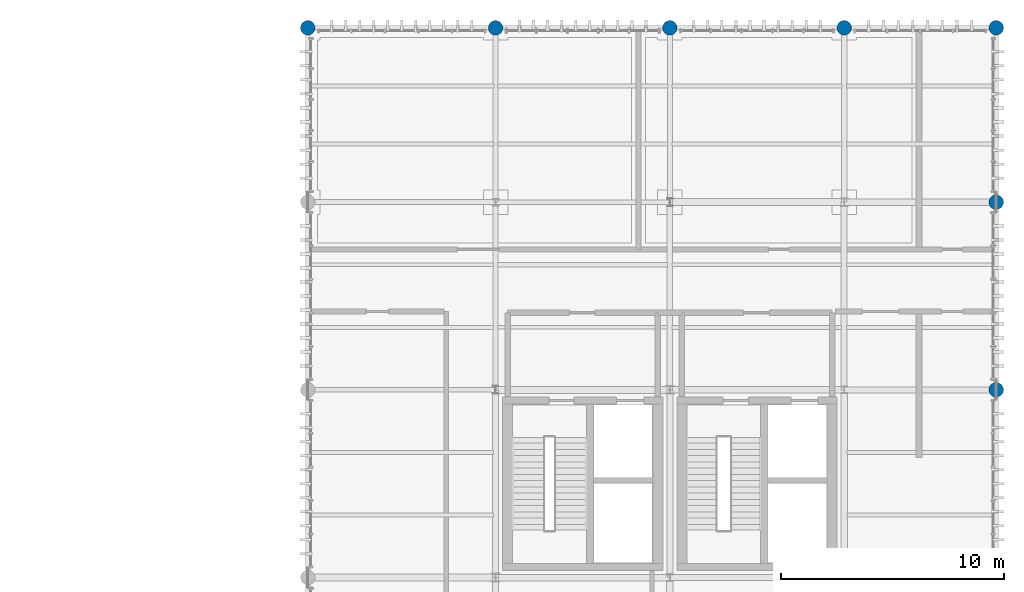
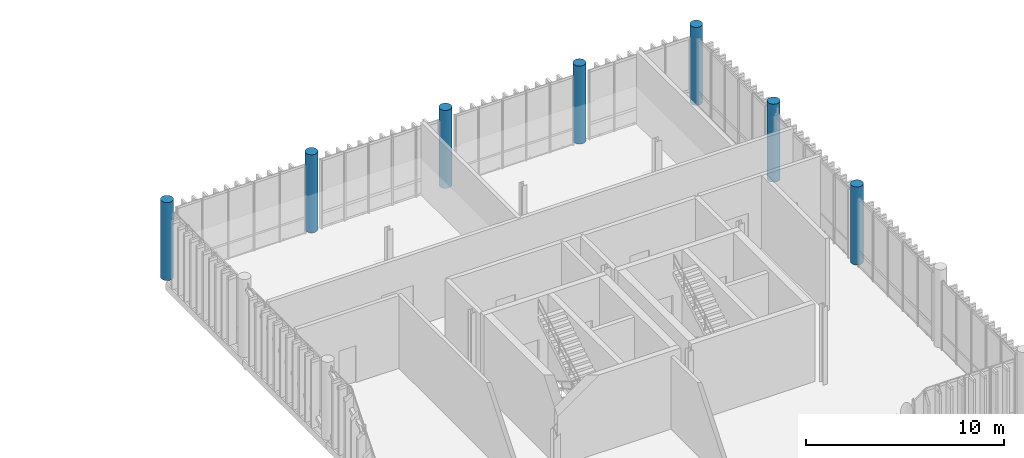
# One storey, part 6 of 86: 7 columns.
"""IFC4 building model written with IfcOpenShell, lengths in metres."""

from ifc_helpers import new_model, si_unit, direction, frame, origin_with_axes, origin_2d_with_axis, place, context, subcontext, project, spatial, circle, extrude, material, material_profile, profile_set, type_object, element, save


model = new_model("IFC4")

# Units and contexts
model_context = context("Model", 3, precision=1e-05, world=origin_with_axes(), true_north=direction((0.0, 1.0)))
body_context = subcontext(model_context, "Body", "Model", "MODEL_VIEW")
ifc_project = project(units=[si_unit("LENGTHUNIT", "METRE"), si_unit("AREAUNIT", "SQUARE_METRE"), si_unit("VOLUMEUNIT", "CUBIC_METRE"), si_unit("PLANEANGLEUNIT", "RADIAN"), si_unit("MASSUNIT", "GRAM", prefix="KILO"), si_unit("THERMODYNAMICTEMPERATUREUNIT", "KELVIN")], contexts=[model_context])

# Site, building, storey
site_placement = place(None, origin_with_axes())
site = spatial("IfcSite", under=ifc_project, at=site_placement, CompositionType="ELEMENT")
building_placement = place(site_placement, origin_with_axes())
building = spatial("IfcBuilding", under=site, at=building_placement, Name="Montbau Bow Law Courts", CompositionType="ELEMENT")
storey_placement = place(building_placement, frame((0.0, 0.0, 29.7), z_axis=(0.0, 0.0, 1.0), x_axis=(1.0, 0.0, 0.0)))
storey = spatial("IfcBuildingStorey", under=building, at=storey_placement, Name="L06", CompositionType="ELEMENT", Elevation=29.7)

# Columns
ifc_material = material(Name="Concrete CSA A23.1 f'c 40 MPa", Category="concrete")
ifc_material_profile = material_profile(ifc_material, circle(Radius=0.325, at=origin_2d_with_axis()), Name="RC650D", Category="Main", Priority=0)
ifc_profile_set = profile_set([ifc_material_profile], Name="Concrete CSA A23.1 f'c 40 MPa")
column_type = type_object("IfcColumnType", Name="C-RC-08", PredefinedType="COLUMN", material=ifc_profile_set)
for number, where, z_axis, x_axis, name in (
    (1, (138.6, 111.0, 29.7), (0.0, 0.0, 1.0), (1.0, 0.0, 0.0), "C-L06-S0976:col2_0976"),
    (2, (147.0, 111.0, 29.7), (0.0, 0.0, 1.0), (1.0, 0.0, 0.0), "C-L06-S0981:col2_0981"),
    (3, (154.8, 111.0, 29.7), (0.0, 0.0, 1.0), (1.0, 0.0, 0.0), "C-L06-S0986:col2_0986"),
    (4, (162.6, 111.0, 29.7), (0.0, 0.0, 1.0), (1.0, 0.0, 0.0), "C-L06-S0991:col2_0991"),
    (5, (169.4, 94.8, 29.7), (0.0, 0.0, 1.0), (1.0, 0.0, 0.0), "C-L06-S0994:col2_0994"),
    (6, (169.4, 103.2, 29.7), (0.0, 0.0, 1.0), (1.0, 0.0, 0.0), "C-L06-S0995:col2_0995"),
    (7, (169.4, 111.0, 29.7), (0.0, 0.0, 1.0), (1.0, 0.0, 0.0), "C-L06-S0996:col2_0996"),
):
    element("IfcColumn", number, at=place(None, frame(where, z_axis=z_axis, x_axis=x_axis)), inside=storey, type_object=column_type, Name=name, PredefinedType="COLUMN", context=body_context, shape_type="SweptSolid", body=[
        extrude(circle(Radius=0.325, at=origin_2d_with_axis()), origin_with_axes(), (0.0, 0.0, 1.0), 4.8),
    ])

save(model, "model.ifc")
